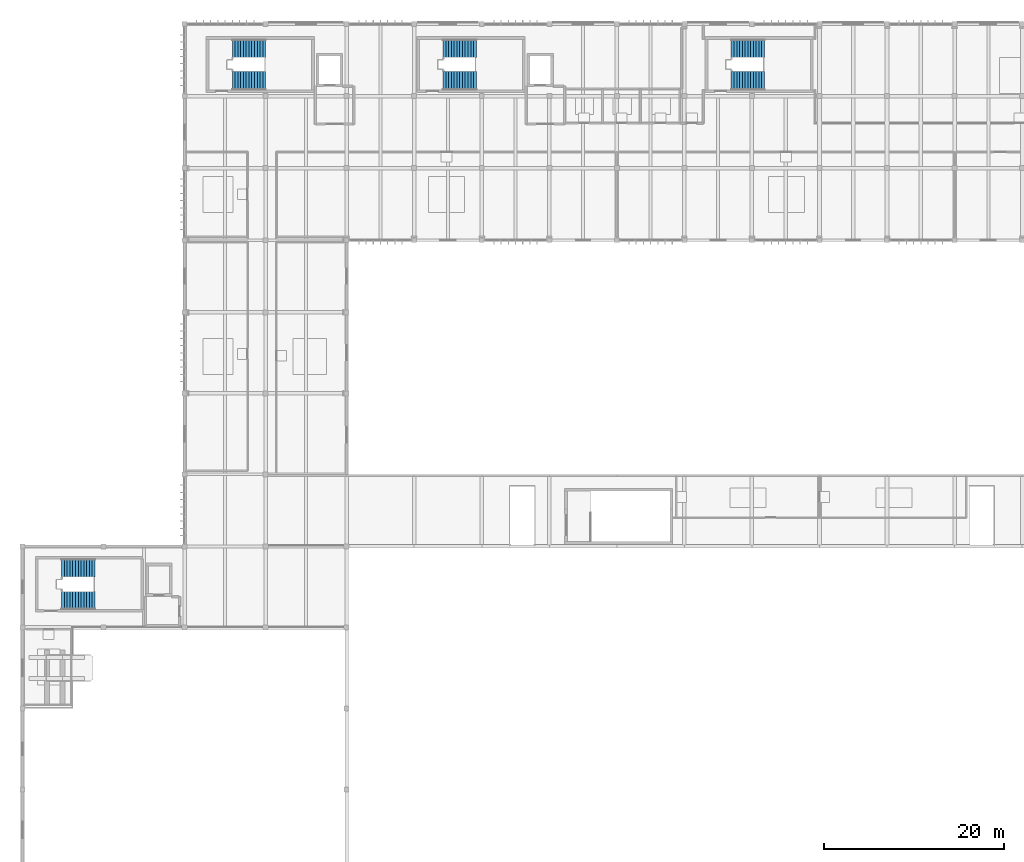
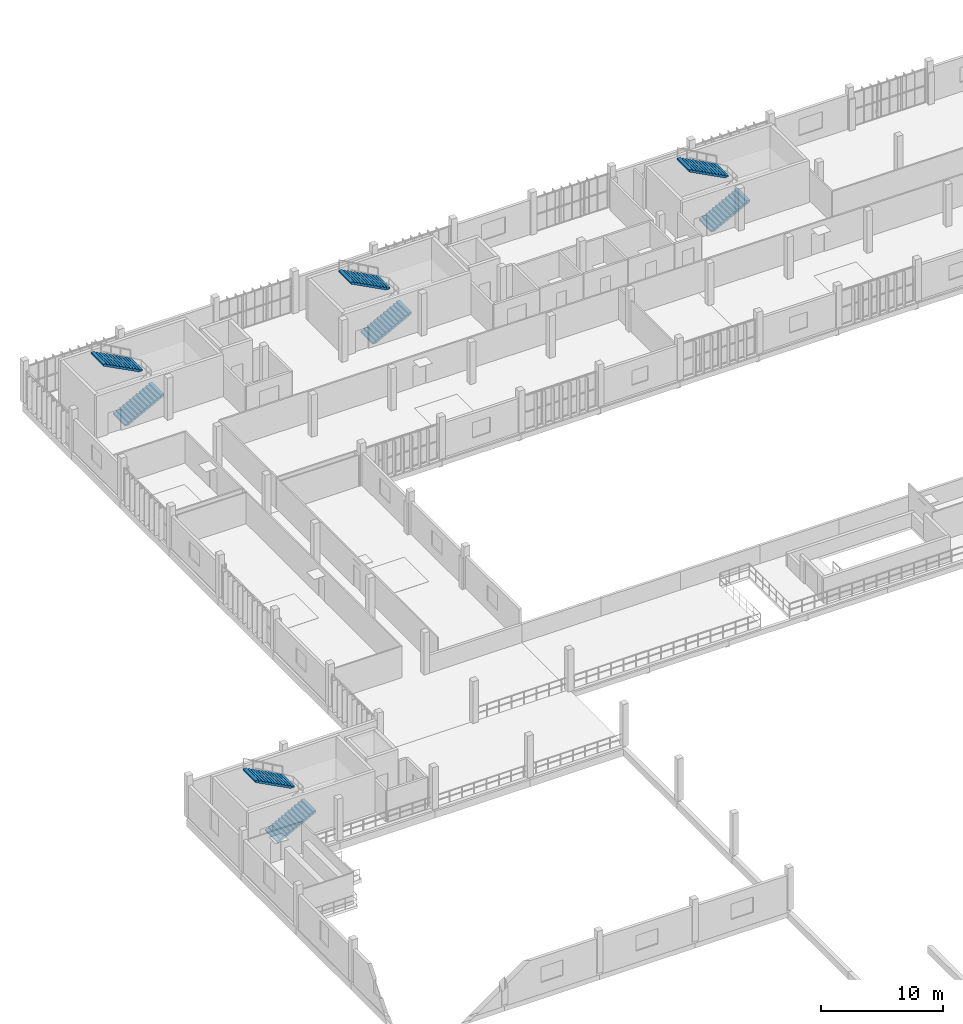
# One storey, part 47 of 61: 8 stair flights, 4 elements without a shape of their own.
"""IFC4 building model written with IfcOpenShell, lengths in metres."""

from ifc_helpers import new_model, si_unit, direction, frame, origin, place, context, subcontext, project, spatial, polyline, outline, extrude, material, type_object, element, aggregate, save


model = new_model("IFC4")

# Units and contexts
model_context = context("Model", 3, precision=1e-05, world=origin(), true_north=direction((0.0, 1.0)))
body_context = subcontext(model_context, "Body", "Model", "MODEL_VIEW")
ifc_project = project(units=[si_unit("LENGTHUNIT", "METRE"), si_unit("AREAUNIT", "SQUARE_METRE"), si_unit("VOLUMEUNIT", "CUBIC_METRE"), si_unit("PLANEANGLEUNIT", "RADIAN"), si_unit("MASSUNIT", "GRAM", prefix="KILO")], contexts=[model_context])

# Site, building, storey
site_placement = place(None, origin())
site = spatial("IfcSite", under=ifc_project, at=site_placement, CompositionType="ELEMENT")
building_placement = place(site_placement, origin())
building = spatial("IfcBuilding", under=site, at=building_placement, Name="Vourika Railside Aquatics Centre", CompositionType="ELEMENT")
storey_placement = place(building_placement, frame((0.0, 0.0, 9.300048828125)))
storey = spatial("IfcBuildingStorey", under=building, at=storey_placement, Name="L02", CompositionType="ELEMENT", Elevation=9.300048828125)

# Stair, stair flights
ifc_material = material(Name="Concrete C35/45", Category="concrete")
stair_type = type_object("IfcStairType", Name="STR-CORE-L02", PredefinedType="TWO_STRAIGHT_RUN_STAIR", material=ifc_material)
stair_1_placement = place(storey_placement, origin())
stair_1 = element("IfcStair", 1, at=stair_1_placement, inside=storey, type_object=stair_type, Name="Protected Exit Stair Core ST01 (L02)", PredefinedType="TWO_STRAIGHT_RUN_STAIR")
stair_flight_type = type_object("IfcStairFlightType", Name="STF-CORE-L02", PredefinedType="STRAIGHT", material=ifc_material)
stair_flight_1_placement = place(storey_placement, frame((23.300048828125, 109.719970703125, 0.0), z_axis=(0.0, 0.0, 1.0), x_axis=(1.0, 0.0, 0.0)))
stair_flight_1 = element("IfcStairFlight", 2, at=stair_flight_1_placement, type_object=stair_flight_type, Name="STC-L02 flight 1", NumberOfRisers=13, NumberOfTreads=12, PredefinedType="STRAIGHT", RiserHeight=0.161538, TreadLength=0.308, context=body_context, shape_type="SweptSolid", body=[
    extrude(outline(polyline([(0.0, 0.0), (0.0, 0.16162109375), (0.30810546875, 0.16162109375), (0.30810546875, 0.322998046875), (0.615966796875, 0.322998046875), (0.615966796875, 0.484619140625), (0.924072265625, 0.484619140625), (0.924072265625, 0.646240234375), (1.23193359375, 0.646240234375), (1.23193359375, 0.8076171875), (1.5400390625, 0.8076171875), (1.5400390625, 0.96923828125), (1.847900390625, 0.96923828125), (1.847900390625, 1.130859375), (2.156005859375, 1.130859375), (2.156005859375, 1.292236328125), (2.464111328125, 1.292236328125), (2.464111328125, 1.453857421875), (2.77197265625, 1.453857421875), (2.77197265625, 1.615478515625), (3.080078125, 1.615478515625), (3.080078125, 1.77685546875), (3.387939453125, 1.77685546875), (3.387939453125, 1.9384765625), (3.696044921875, 1.9384765625), (3.696044921875, 2.10009765625), (3.696044921875, 1.7578125), (0.34423828125, 0.0), (0.0, 0.0)])), frame((0.0, 1.0, 0.0), z_axis=(0.0, -1.0, 0.0), x_axis=(1.0, 0.0, 0.0)), (0.0, 0.0, 1.0), 2.0),
])
stair_flight_2_placement = place(storey_placement, frame((26.99609375, 113.280029296875, 2.099853515625), z_axis=(0.0, 0.0, 1.0), x_axis=(-1.0, 0.0, 0.0)))
stair_flight_2 = element("IfcStairFlight", 3, at=stair_flight_2_placement, type_object=stair_flight_type, Name="STC-L02 flight 2", NumberOfRisers=13, NumberOfTreads=12, PredefinedType="STRAIGHT", RiserHeight=0.161538, TreadLength=0.308, context=body_context, shape_type="SweptSolid", body=[
    extrude(outline(polyline([(0.0, 0.0), (0.0, 0.16162109375), (0.30810546875, 0.16162109375), (0.30810546875, 0.322998046875), (0.615966796875, 0.322998046875), (0.615966796875, 0.484619140625), (0.924072265625, 0.484619140625), (0.924072265625, 0.646240234375), (1.23193359375, 0.646240234375), (1.23193359375, 0.8076171875), (1.5400390625, 0.8076171875), (1.5400390625, 0.96923828125), (1.847900390625, 0.96923828125), (1.847900390625, 1.130859375), (2.156005859375, 1.130859375), (2.156005859375, 1.292236328125), (2.464111328125, 1.292236328125), (2.464111328125, 1.453857421875), (2.77197265625, 1.453857421875), (2.77197265625, 1.615478515625), (3.080078125, 1.615478515625), (3.080078125, 1.77685546875), (3.387939453125, 1.77685546875), (3.387939453125, 1.9384765625), (3.696044921875, 1.9384765625), (3.696044921875, 2.10009765625), (3.696044921875, 1.7578125), (0.34423828125, 0.0), (0.0, 0.0)])), frame((0.0, 1.0, 0.0), z_axis=(0.0, -1.0, 0.0), x_axis=(1.0, 0.0, 0.0)), (0.0, 0.0, 1.0), 2.0),
])
aggregate(stair_1, [stair_flight_1, stair_flight_2])

stair_2_placement = place(storey_placement, origin())
stair_2 = element("IfcStair", 4, at=stair_2_placement, inside=storey, type_object=stair_type, Name="Protected Exit Stair Core ST02 (L02)", PredefinedType="TWO_STRAIGHT_RUN_STAIR")
stair_flight_3_placement = place(storey_placement, frame((46.699951171875, 109.719970703125, 0.0), z_axis=(0.0, 0.0, 1.0), x_axis=(1.0, 0.0, 0.0)))
stair_flight_3 = element("IfcStairFlight", 5, at=stair_flight_3_placement, type_object=stair_flight_type, Name="STC-L02 flight 1", NumberOfRisers=13, NumberOfTreads=12, PredefinedType="STRAIGHT", RiserHeight=0.161538, TreadLength=0.308, context=body_context, shape_type="SweptSolid", body=[
    extrude(outline(polyline([(0.0, 0.0), (0.0, 0.16162109375), (0.30810546875, 0.16162109375), (0.30810546875, 0.322998046875), (0.615966796875, 0.322998046875), (0.615966796875, 0.484619140625), (0.924072265625, 0.484619140625), (0.924072265625, 0.646240234375), (1.23193359375, 0.646240234375), (1.23193359375, 0.8076171875), (1.5400390625, 0.8076171875), (1.5400390625, 0.96923828125), (1.847900390625, 0.96923828125), (1.847900390625, 1.130859375), (2.156005859375, 1.130859375), (2.156005859375, 1.292236328125), (2.464111328125, 1.292236328125), (2.464111328125, 1.453857421875), (2.77197265625, 1.453857421875), (2.77197265625, 1.615478515625), (3.080078125, 1.615478515625), (3.080078125, 1.77685546875), (3.387939453125, 1.77685546875), (3.387939453125, 1.9384765625), (3.696044921875, 1.9384765625), (3.696044921875, 2.10009765625), (3.696044921875, 1.7578125), (0.34423828125, 0.0), (0.0, 0.0)])), frame((0.0, 1.0, 0.0), z_axis=(0.0, -1.0, 0.0), x_axis=(1.0, 0.0, 0.0)), (0.0, 0.0, 1.0), 2.0),
])
stair_flight_4_placement = place(storey_placement, frame((50.39599609375, 113.280029296875, 2.099853515625), z_axis=(0.0, 0.0, 1.0), x_axis=(-1.0, 0.0, 0.0)))
stair_flight_4 = element("IfcStairFlight", 6, at=stair_flight_4_placement, type_object=stair_flight_type, Name="STC-L02 flight 2", NumberOfRisers=13, NumberOfTreads=12, PredefinedType="STRAIGHT", RiserHeight=0.161538, TreadLength=0.308, context=body_context, shape_type="SweptSolid", body=[
    extrude(outline(polyline([(0.0, 0.0), (0.0, 0.16162109375), (0.30810546875, 0.16162109375), (0.30810546875, 0.322998046875), (0.615966796875, 0.322998046875), (0.615966796875, 0.484619140625), (0.924072265625, 0.484619140625), (0.924072265625, 0.646240234375), (1.23193359375, 0.646240234375), (1.23193359375, 0.8076171875), (1.5400390625, 0.8076171875), (1.5400390625, 0.96923828125), (1.847900390625, 0.96923828125), (1.847900390625, 1.130859375), (2.156005859375, 1.130859375), (2.156005859375, 1.292236328125), (2.464111328125, 1.292236328125), (2.464111328125, 1.453857421875), (2.77197265625, 1.453857421875), (2.77197265625, 1.615478515625), (3.080078125, 1.615478515625), (3.080078125, 1.77685546875), (3.387939453125, 1.77685546875), (3.387939453125, 1.9384765625), (3.696044921875, 1.9384765625), (3.696044921875, 2.10009765625), (3.696044921875, 1.7578125), (0.34423828125, 0.0), (0.0, 0.0)])), frame((0.0, 1.0, 0.0), z_axis=(0.0, -1.0, 0.0), x_axis=(1.0, 0.0, 0.0)), (0.0, 0.0, 1.0), 2.0),
])
aggregate(stair_2, [stair_flight_3, stair_flight_4])

stair_3_placement = place(storey_placement, origin())
stair_3 = element("IfcStair", 7, at=stair_3_placement, inside=storey, type_object=stair_type, Name="Protected Exit Stair Core ST03 (L02)", PredefinedType="TWO_STRAIGHT_RUN_STAIR")
stair_flight_5_placement = place(storey_placement, frame((78.699951171875, 109.719970703125, 0.0), z_axis=(0.0, 0.0, 1.0), x_axis=(1.0, 0.0, 0.0)))
stair_flight_5 = element("IfcStairFlight", 8, at=stair_flight_5_placement, type_object=stair_flight_type, Name="STC-L02 flight 1", NumberOfRisers=13, NumberOfTreads=12, PredefinedType="STRAIGHT", RiserHeight=0.161538, TreadLength=0.308, context=body_context, shape_type="SweptSolid", body=[
    extrude(outline(polyline([(0.0, 0.0), (0.0, 0.16162109375), (0.30810546875, 0.16162109375), (0.30810546875, 0.322998046875), (0.615966796875, 0.322998046875), (0.615966796875, 0.484619140625), (0.924072265625, 0.484619140625), (0.924072265625, 0.646240234375), (1.23193359375, 0.646240234375), (1.23193359375, 0.8076171875), (1.5400390625, 0.8076171875), (1.5400390625, 0.96923828125), (1.847900390625, 0.96923828125), (1.847900390625, 1.130859375), (2.156005859375, 1.130859375), (2.156005859375, 1.292236328125), (2.464111328125, 1.292236328125), (2.464111328125, 1.453857421875), (2.77197265625, 1.453857421875), (2.77197265625, 1.615478515625), (3.080078125, 1.615478515625), (3.080078125, 1.77685546875), (3.387939453125, 1.77685546875), (3.387939453125, 1.9384765625), (3.696044921875, 1.9384765625), (3.696044921875, 2.10009765625), (3.696044921875, 1.7578125), (0.34423828125, 0.0), (0.0, 0.0)])), frame((0.0, 1.0, 0.0), z_axis=(0.0, -1.0, 0.0), x_axis=(1.0, 0.0, 0.0)), (0.0, 0.0, 1.0), 2.0),
])
stair_flight_6_placement = place(storey_placement, frame((82.39599609375, 113.280029296875, 2.099853515625), z_axis=(0.0, 0.0, 1.0), x_axis=(-1.0, 0.0, 0.0)))
stair_flight_6 = element("IfcStairFlight", 9, at=stair_flight_6_placement, type_object=stair_flight_type, Name="STC-L02 flight 2", NumberOfRisers=13, NumberOfTreads=12, PredefinedType="STRAIGHT", RiserHeight=0.161538, TreadLength=0.308, context=body_context, shape_type="SweptSolid", body=[
    extrude(outline(polyline([(0.0, 0.0), (0.0, 0.16162109375), (0.30810546875, 0.16162109375), (0.30810546875, 0.322998046875), (0.615966796875, 0.322998046875), (0.615966796875, 0.484619140625), (0.924072265625, 0.484619140625), (0.924072265625, 0.646240234375), (1.23193359375, 0.646240234375), (1.23193359375, 0.8076171875), (1.5400390625, 0.8076171875), (1.5400390625, 0.96923828125), (1.847900390625, 0.96923828125), (1.847900390625, 1.130859375), (2.156005859375, 1.130859375), (2.156005859375, 1.292236328125), (2.464111328125, 1.292236328125), (2.464111328125, 1.453857421875), (2.77197265625, 1.453857421875), (2.77197265625, 1.615478515625), (3.080078125, 1.615478515625), (3.080078125, 1.77685546875), (3.387939453125, 1.77685546875), (3.387939453125, 1.9384765625), (3.696044921875, 1.9384765625), (3.696044921875, 2.10009765625), (3.696044921875, 1.7578125), (0.34423828125, 0.0), (0.0, 0.0)])), frame((0.0, 1.0, 0.0), z_axis=(0.0, -1.0, 0.0), x_axis=(1.0, 0.0, 0.0)), (0.0, 0.0, 1.0), 2.0),
])
aggregate(stair_3, [stair_flight_5, stair_flight_6])

stair_4_placement = place(storey_placement, origin())
stair_4 = element("IfcStair", 10, at=stair_4_placement, inside=storey, type_object=stair_type, Name="Protected Exit Stair Core ST04 (L02)", PredefinedType="TWO_STRAIGHT_RUN_STAIR")
stair_flight_7_placement = place(storey_placement, frame((4.35009765625, 52.02001953125, 0.0), z_axis=(0.0, 0.0, 1.0), x_axis=(1.0, 0.0, 0.0)))
stair_flight_7 = element("IfcStairFlight", 11, at=stair_flight_7_placement, type_object=stair_flight_type, Name="STC-L02 flight 1", NumberOfRisers=13, NumberOfTreads=12, PredefinedType="STRAIGHT", RiserHeight=0.161538, TreadLength=0.308, context=body_context, shape_type="SweptSolid", body=[
    extrude(outline(polyline([(0.0, 0.0), (0.0, 0.16162109375), (0.30810546875, 0.16162109375), (0.30810546875, 0.322998046875), (0.615966796875, 0.322998046875), (0.615966796875, 0.484619140625), (0.924072265625, 0.484619140625), (0.924072265625, 0.646240234375), (1.23193359375, 0.646240234375), (1.23193359375, 0.8076171875), (1.5400390625, 0.8076171875), (1.5400390625, 0.96923828125), (1.847900390625, 0.96923828125), (1.847900390625, 1.130859375), (2.156005859375, 1.130859375), (2.156005859375, 1.292236328125), (2.464111328125, 1.292236328125), (2.464111328125, 1.453857421875), (2.77197265625, 1.453857421875), (2.77197265625, 1.615478515625), (3.080078125, 1.615478515625), (3.080078125, 1.77685546875), (3.387939453125, 1.77685546875), (3.387939453125, 1.9384765625), (3.696044921875, 1.9384765625), (3.696044921875, 2.10009765625), (3.696044921875, 1.7578125), (0.34423828125, 0.0), (0.0, 0.0)])), frame((0.0, 1.0, 0.0), z_axis=(0.0, -1.0, 0.0), x_axis=(1.0, 0.0, 0.0)), (0.0, 0.0, 1.0), 2.0),
])
stair_flight_8_placement = place(storey_placement, frame((8.0458984375, 55.580078125, 2.099853515625), z_axis=(0.0, 0.0, 1.0), x_axis=(-1.0, 0.0, 0.0)))
stair_flight_8 = element("IfcStairFlight", 12, at=stair_flight_8_placement, type_object=stair_flight_type, Name="STC-L02 flight 2", NumberOfRisers=13, NumberOfTreads=12, PredefinedType="STRAIGHT", RiserHeight=0.161538, TreadLength=0.308, context=body_context, shape_type="SweptSolid", body=[
    extrude(outline(polyline([(0.0, 0.0), (0.0, 0.16162109375), (0.30810546875, 0.16162109375), (0.30810546875, 0.322998046875), (0.615966796875, 0.322998046875), (0.615966796875, 0.484619140625), (0.924072265625, 0.484619140625), (0.924072265625, 0.646240234375), (1.23193359375, 0.646240234375), (1.23193359375, 0.8076171875), (1.5400390625, 0.8076171875), (1.5400390625, 0.96923828125), (1.847900390625, 0.96923828125), (1.847900390625, 1.130859375), (2.156005859375, 1.130859375), (2.156005859375, 1.292236328125), (2.464111328125, 1.292236328125), (2.464111328125, 1.453857421875), (2.77197265625, 1.453857421875), (2.77197265625, 1.615478515625), (3.080078125, 1.615478515625), (3.080078125, 1.77685546875), (3.387939453125, 1.77685546875), (3.387939453125, 1.9384765625), (3.696044921875, 1.9384765625), (3.696044921875, 2.10009765625), (3.696044921875, 1.7578125), (0.34423828125, 0.0), (0.0, 0.0)])), frame((0.0, 1.0, 0.0), z_axis=(0.0, -1.0, 0.0), x_axis=(1.0, 0.0, 0.0)), (0.0, 0.0, 1.0), 2.0),
])
aggregate(stair_4, [stair_flight_7, stair_flight_8])

save(model, "model.ifc")
